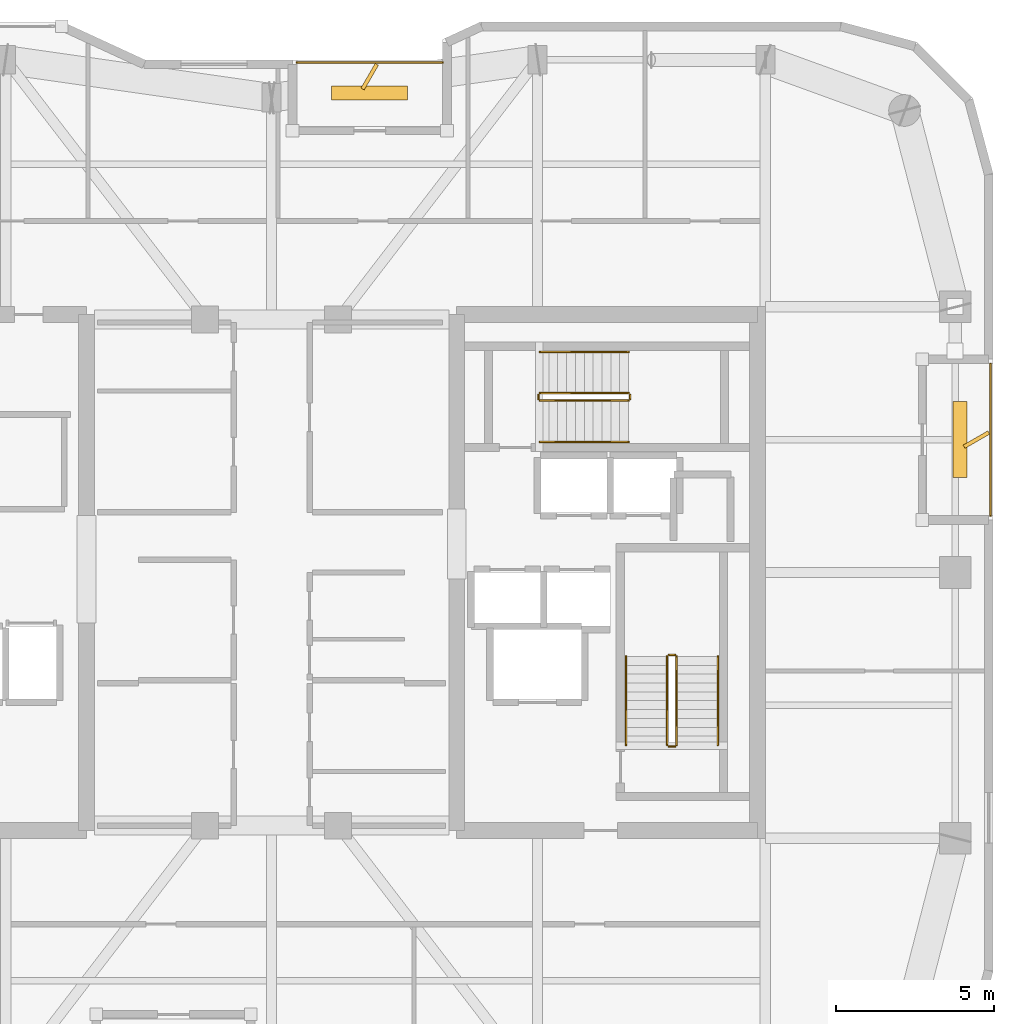
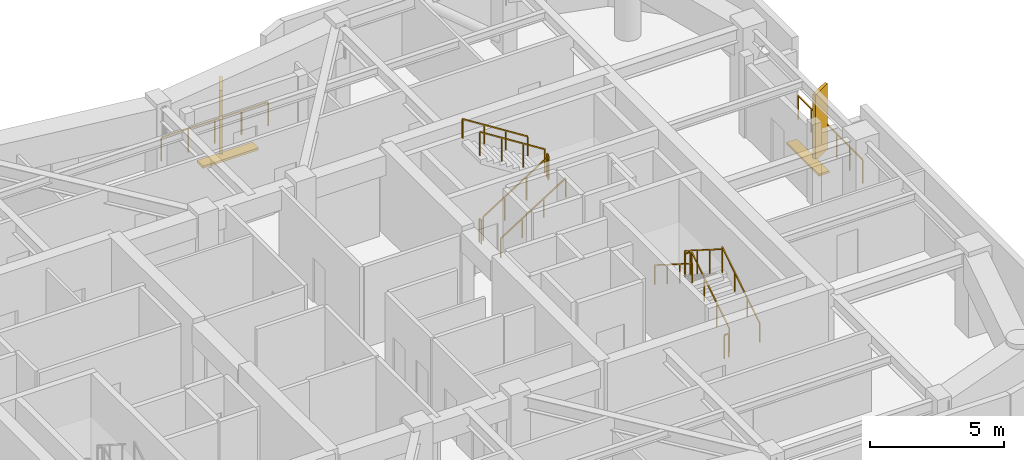
# One storey, part 15 of 15: 14 railings, 4 shading devices.
"""IFC4 building model written with IfcOpenShell, lengths in metres."""

from ifc_helpers import new_model, si_unit, direction, frame, origin, origin_2d, place, context, subcontext, project, spatial, rectangle, extrude, material, type_object, element, save


model = new_model("IFC4")

# Units and contexts
model_context = context("Model", 3, precision=1e-05, world=origin(), true_north=direction((0.0, 1.0)))
body_context = subcontext(model_context, "Body", "Model", "MODEL_VIEW")
ifc_project = project(units=[si_unit("LENGTHUNIT", "METRE"), si_unit("AREAUNIT", "SQUARE_METRE"), si_unit("VOLUMEUNIT", "CUBIC_METRE"), si_unit("PLANEANGLEUNIT", "RADIAN"), si_unit("MASSUNIT", "GRAM", prefix="KILO")], contexts=[model_context])

# Site, building, storey
site_placement = place(None, origin())
site = spatial("IfcSite", under=ifc_project, at=site_placement, CompositionType="ELEMENT")
building_placement = place(site_placement, origin())
building = spatial("IfcBuilding", under=site, at=building_placement, Name="Kiyonajd Concourse Tower", CompositionType="ELEMENT")
storey_placement = place(building_placement, frame((0.0, 0.0, 266.699951171875)))
storey = spatial("IfcBuildingStorey", under=building, at=storey_placement, Name="L67", CompositionType="ELEMENT", Elevation=266.699951171875)

# Railings
ifc_material_1 = material(Name="Thermally Broken Anodised Aluminium", Category="aluminium")
railing_type_1 = type_object("IfcRailingType", Name="RL-GRD-LOG", PredefinedType="GUARDRAIL", material=ifc_material_1)
railing_1_placement = place(storey_placement, frame((53.39990234375, 52.1201171875, 0.0)))
element("IfcRailing", 1, at=railing_1_placement, inside=storey, type_object=railing_type_1, Name="L67 Engawa Loggia Perimeter Guard LOG-N", PredefinedType="GUARDRAIL", context=body_context, shape_type="SweptSolid", body=[
    extrude(rectangle(XDim=0.048095703125, YDim=0.048095703125, at=origin_2d()), frame((0.0, 0.0, 1.076171875), z_axis=(-1.0, 0.0, 0.0), x_axis=(0.0, -1.0, 0.0)), (0.0, 0.0, 1.0), 4.599853515625),
    extrude(rectangle(XDim=0.0419921875, YDim=0.0419921875, at=origin_2d()), origin(), (0.0, 0.0, 1.0), 1.052001953125),
    extrude(rectangle(XDim=0.0419921875, YDim=0.0419921875, at=origin_2d()), frame((-1.14990234375, 0.0, 0.0)), (0.0, 0.0, 1.0), 1.052001953125),
    extrude(rectangle(XDim=0.0419921875, YDim=0.0419921875, at=origin_2d()), frame((-2.2998046875, 0.0, 0.0)), (0.0, 0.0, 1.0), 1.052001953125),
    extrude(rectangle(XDim=0.0419921875, YDim=0.0419921875, at=origin_2d()), frame((-3.449951171875, 0.0, 0.0)), (0.0, 0.0, 1.0), 1.052001953125),
    extrude(rectangle(XDim=0.0419921875, YDim=0.0419921875, at=origin_2d()), frame((-4.599853515625, 0.0, 0.0)), (0.0, 0.0, 1.0), 1.052001953125),
])
railing_2_placement = place(storey_placement, frame((70.719970703125, 37.800048828125, 0.0)))
element("IfcRailing", 2, at=railing_2_placement, inside=storey, type_object=railing_type_1, Name="L67 Engawa Loggia Perimeter Guard LOG-E", PredefinedType="GUARDRAIL", context=body_context, shape_type="SweptSolid", body=[
    extrude(rectangle(XDim=0.048095703125, YDim=0.048095703125, at=origin_2d()), frame((0.0, 0.0, 1.076171875), z_axis=(0.0, 1.0, 0.0), x_axis=(-1.0, 0.0, 0.0)), (0.0, 0.0, 1.0), 4.800048828125),
    extrude(rectangle(XDim=0.0419921875, YDim=0.0419921875, at=origin_2d()), origin(), (0.0, 0.0, 1.0), 1.052001953125),
    extrude(rectangle(XDim=0.0419921875, YDim=0.0419921875, at=origin_2d()), frame((0.0, 0.9599609375, 0.0)), (0.0, 0.0, 1.0), 1.052001953125),
    extrude(rectangle(XDim=0.0419921875, YDim=0.0419921875, at=origin_2d()), frame((0.0, 1.919921875, 0.0)), (0.0, 0.0, 1.0), 1.052001953125),
    extrude(rectangle(XDim=0.0419921875, YDim=0.0419921875, at=origin_2d()), frame((0.0, 2.880126953125, 0.0)), (0.0, 0.0, 1.0), 1.052001953125),
    extrude(rectangle(XDim=0.0419921875, YDim=0.0419921875, at=origin_2d()), frame((0.0, 3.840087890625, 0.0)), (0.0, 0.0, 1.0), 1.052001953125),
    extrude(rectangle(XDim=0.0419921875, YDim=0.0419921875, at=origin_2d()), frame((0.0, 4.800048828125, 0.0)), (0.0, 0.0, 1.0), 1.052001953125),
])
ifc_material_2 = material(Name="Steel ASTM A500 Grade C", Category="steel")
railing_type_2 = type_object("IfcRailingType", Name="RL-GRD-STR", PredefinedType="GUARDRAIL", material=ifc_material_2)
railing_3_placement = place(storey_placement, frame((60.800048828125, 30.550048828125, 0.17724609375)))
element("IfcRailing", 3, at=railing_3_placement, inside=storey, type_object=railing_type_2, Name="L67 ST2 stair guard 1", PredefinedType="GUARDRAIL", context=body_context, shape_type="SweptSolid", body=[
    extrude(rectangle(XDim=0.048095703125, YDim=0.048095703125, at=origin_2d()), frame((0.0, 0.0, 1.076171875), z_axis=(0.0, 0.844908973607, 0.534910110503), x_axis=(-1.0, 0.0, 0.0)), (0.0, 0.0, 1.0), 3.31396484375),
    extrude(rectangle(XDim=0.0419921875, YDim=0.0419921875, at=origin_2d()), origin(), (0.0, 0.0, 1.0), 1.052001953125),
    extrude(rectangle(XDim=0.0419921875, YDim=0.0419921875, at=origin_2d()), frame((0.0, 0.933349609375, 0.5908203125)), (0.0, 0.0, 1.0), 1.052001953125),
    extrude(rectangle(XDim=0.0419921875, YDim=0.0419921875, at=origin_2d()), frame((0.0, 1.86669921875, 1.181884765625)), (0.0, 0.0, 1.0), 1.052001953125),
    extrude(rectangle(XDim=0.0419921875, YDim=0.0419921875, at=origin_2d()), frame((0.0, 2.800048828125, 1.772705078125)), (0.0, 0.0, 1.0), 1.052001953125),
])
railing_4_placement = place(storey_placement, frame((60.75, 33.39990234375, 1.949951171875)))
element("IfcRailing", 4, at=railing_4_placement, inside=storey, type_object=railing_type_2, Name="L67 ST2 stair guard 2", PredefinedType="GUARDRAIL", context=body_context, shape_type="SweptSolid", body=[
    extrude(rectangle(XDim=0.048095703125, YDim=0.048095703125, at=origin_2d()), frame((0.0, 0.0, 1.076171875), z_axis=(-1.0, 0.0, 0.0), x_axis=(0.0, -1.0, 0.0)), (0.0, 0.0, 1.0), 0.199951171875),
    extrude(rectangle(XDim=0.0419921875, YDim=0.0419921875, at=origin_2d()), origin(), (0.0, 0.0, 1.0), 1.052001953125),
    extrude(rectangle(XDim=0.0419921875, YDim=0.0419921875, at=origin_2d()), frame((-0.199951171875, 0.0, 0.0)), (0.0, 0.0, 1.0), 1.052001953125),
])
railing_5_placement = place(storey_placement, frame((60.5, 33.35009765625, 2.12744140625)))
element("IfcRailing", 5, at=railing_5_placement, inside=storey, type_object=railing_type_2, Name="L67 ST2 stair guard 3", PredefinedType="GUARDRAIL", context=body_context, shape_type="SweptSolid", body=[
    extrude(rectangle(XDim=0.048095703125, YDim=0.048095703125, at=origin_2d()), frame((0.0, 0.0, 1.076171875), z_axis=(0.0, -0.844908973607, 0.534910110503), x_axis=(1.0, 0.0, 0.0)), (0.0, 0.0, 1.0), 3.31396484375),
    extrude(rectangle(XDim=0.0419921875, YDim=0.0419921875, at=origin_2d()), origin(), (0.0, 0.0, 1.0), 1.052001953125),
    extrude(rectangle(XDim=0.0419921875, YDim=0.0419921875, at=origin_2d()), frame((0.0, -0.933349609375, 0.5908203125)), (0.0, 0.0, 1.0), 1.052001953125),
    extrude(rectangle(XDim=0.0419921875, YDim=0.0419921875, at=origin_2d()), frame((0.0, -1.86669921875, 1.181884765625)), (0.0, 0.0, 1.0), 1.052001953125),
    extrude(rectangle(XDim=0.0419921875, YDim=0.0419921875, at=origin_2d()), frame((0.0, -2.800048828125, 1.772705078125)), (0.0, 0.0, 1.0), 1.052001953125),
])
railing_6_placement = place(storey_placement, frame((60.75, 30.5, 0.0)))
element("IfcRailing", 6, at=railing_6_placement, inside=storey, type_object=railing_type_2, Name="L67 ST2 stair guard 4", PredefinedType="GUARDRAIL", context=body_context, shape_type="SweptSolid", body=[
    extrude(rectangle(XDim=0.048095703125, YDim=0.048095703125, at=origin_2d()), frame((0.0, 0.0, 1.076171875), z_axis=(-1.0, 0.0, 0.0), x_axis=(0.0, -1.0, 0.0)), (0.0, 0.0, 1.0), 0.199951171875),
    extrude(rectangle(XDim=0.0419921875, YDim=0.0419921875, at=origin_2d()), origin(), (0.0, 0.0, 1.0), 1.052001953125),
    extrude(rectangle(XDim=0.0419921875, YDim=0.0419921875, at=origin_2d()), frame((-0.199951171875, 0.0, 0.0)), (0.0, 0.0, 1.0), 1.052001953125),
])
railing_7_placement = place(storey_placement, frame((56.47998046875, 41.429931640625, 0.17724609375)))
element("IfcRailing", 7, at=railing_7_placement, inside=storey, type_object=railing_type_2, Name="L67 ST3 stair guard 1", PredefinedType="GUARDRAIL", context=body_context, shape_type="SweptSolid", body=[
    extrude(rectangle(XDim=0.048095703125, YDim=0.048095703125, at=origin_2d()), frame((0.0, 0.0, 1.076171875), z_axis=(0.844908973607, 0.0, 0.534910110503), x_axis=(0.0, 1.0, 0.0)), (0.0, 0.0, 1.0), 3.31396484375),
    extrude(rectangle(XDim=0.0419921875, YDim=0.0419921875, at=origin_2d()), origin(), (0.0, 0.0, 1.0), 1.052001953125),
    extrude(rectangle(XDim=0.0419921875, YDim=0.0419921875, at=origin_2d()), frame((0.933349609375, 0.0, 0.5908203125)), (0.0, 0.0, 1.0), 1.052001953125),
    extrude(rectangle(XDim=0.0419921875, YDim=0.0419921875, at=origin_2d()), frame((1.86669921875, 0.0, 1.181884765625)), (0.0, 0.0, 1.0), 1.052001953125),
    extrude(rectangle(XDim=0.0419921875, YDim=0.0419921875, at=origin_2d()), frame((2.800048828125, 0.0, 1.772705078125)), (0.0, 0.0, 1.0), 1.052001953125),
])
railing_8_placement = place(storey_placement, frame((59.330078125, 41.47998046875, 1.949951171875)))
element("IfcRailing", 8, at=railing_8_placement, inside=storey, type_object=railing_type_2, Name="L67 ST3 stair guard 2", PredefinedType="GUARDRAIL", context=body_context, shape_type="SweptSolid", body=[
    extrude(rectangle(XDim=0.048095703125, YDim=0.048095703125, at=origin_2d()), frame((0.0, 0.0, 1.076171875), z_axis=(0.0, 1.0, 0.0), x_axis=(-1.0, 0.0, 0.0)), (0.0, 0.0, 1.0), 0.14013671875),
    extrude(rectangle(XDim=0.0419921875, YDim=0.0419921875, at=origin_2d()), origin(), (0.0, 0.0, 1.0), 1.052001953125),
    extrude(rectangle(XDim=0.0419921875, YDim=0.0419921875, at=origin_2d()), frame((0.0, 0.14013671875, 0.0)), (0.0, 0.0, 1.0), 1.052001953125),
])
railing_9_placement = place(storey_placement, frame((59.280029296875, 41.669921875, 2.12744140625)))
element("IfcRailing", 9, at=railing_9_placement, inside=storey, type_object=railing_type_2, Name="L67 ST3 stair guard 3", PredefinedType="GUARDRAIL", context=body_context, shape_type="SweptSolid", body=[
    extrude(rectangle(XDim=0.048095703125, YDim=0.048095703125, at=origin_2d()), frame((0.0, 0.0, 1.076171875), z_axis=(-0.844908973607, 0.0, 0.534910110503), x_axis=(0.0, -1.0, 0.0)), (0.0, 0.0, 1.0), 3.31396484375),
    extrude(rectangle(XDim=0.0419921875, YDim=0.0419921875, at=origin_2d()), origin(), (0.0, 0.0, 1.0), 1.052001953125),
    extrude(rectangle(XDim=0.0419921875, YDim=0.0419921875, at=origin_2d()), frame((-0.933349609375, 0.0, 0.5908203125)), (0.0, 0.0, 1.0), 1.052001953125),
    extrude(rectangle(XDim=0.0419921875, YDim=0.0419921875, at=origin_2d()), frame((-1.86669921875, 0.0, 1.181884765625)), (0.0, 0.0, 1.0), 1.052001953125),
    extrude(rectangle(XDim=0.0419921875, YDim=0.0419921875, at=origin_2d()), frame((-2.800048828125, 0.0, 1.772705078125)), (0.0, 0.0, 1.0), 1.052001953125),
])
railing_10_placement = place(storey_placement, frame((56.429931640625, 41.47998046875, 0.0)))
element("IfcRailing", 10, at=railing_10_placement, inside=storey, type_object=railing_type_2, Name="L67 ST3 stair guard 4", PredefinedType="GUARDRAIL", context=body_context, shape_type="SweptSolid", body=[
    extrude(rectangle(XDim=0.048095703125, YDim=0.048095703125, at=origin_2d()), frame((0.0, 0.0, 1.076171875), z_axis=(0.0, 1.0, 0.0), x_axis=(-1.0, 0.0, 0.0)), (0.0, 0.0, 1.0), 0.14013671875),
    extrude(rectangle(XDim=0.0419921875, YDim=0.0419921875, at=origin_2d()), origin(), (0.0, 0.0, 1.0), 1.052001953125),
    extrude(rectangle(XDim=0.0419921875, YDim=0.0419921875, at=origin_2d()), frame((0.0, 0.14013671875, 0.0)), (0.0, 0.0, 1.0), 1.052001953125),
])
ifc_material_3 = material(Name="Brushed Stainless Steel Cab Assembly", Category="steel")
railing_type_3 = type_object("IfcRailingType", Name="RL-HND-900", PredefinedType="HANDRAIL", material=ifc_material_3)
railing_11_placement = place(storey_placement, frame((62.10009765625, 30.550048828125, 0.17724609375)))
element("IfcRailing", 11, at=railing_11_placement, inside=storey, type_object=railing_type_3, Name="L67 ST2 stair handrail 1", PredefinedType="HANDRAIL", context=body_context, shape_type="SweptSolid", body=[
    extrude(rectangle(XDim=0.048095703125, YDim=0.048095703125, at=origin_2d()), frame((0.0, 0.0, 0.8759765625), z_axis=(0.0, 0.844908973607, 0.534910110503), x_axis=(-1.0, 0.0, 0.0)), (0.0, 0.0, 1.0), 3.31396484375),
    extrude(rectangle(XDim=0.0419921875, YDim=0.0419921875, at=origin_2d()), origin(), (0.0, 0.0, 1.0), 0.851806640625),
    extrude(rectangle(XDim=0.0419921875, YDim=0.0419921875, at=origin_2d()), frame((0.0, 0.933349609375, 0.5908203125)), (0.0, 0.0, 1.0), 0.851806640625),
    extrude(rectangle(XDim=0.0419921875, YDim=0.0419921875, at=origin_2d()), frame((0.0, 1.86669921875, 1.181884765625)), (0.0, 0.0, 1.0), 0.851806640625),
    extrude(rectangle(XDim=0.0419921875, YDim=0.0419921875, at=origin_2d()), frame((0.0, 2.800048828125, 1.772705078125)), (0.0, 0.0, 1.0), 0.851806640625),
])
railing_12_placement = place(storey_placement, frame((59.199951171875, 33.35009765625, 2.12744140625)))
element("IfcRailing", 12, at=railing_12_placement, inside=storey, type_object=railing_type_3, Name="L67 ST2 stair handrail 2", PredefinedType="HANDRAIL", context=body_context, shape_type="SweptSolid", body=[
    extrude(rectangle(XDim=0.048095703125, YDim=0.048095703125, at=origin_2d()), frame((0.0, 0.0, 0.8759765625), z_axis=(0.0, -0.844908973607, 0.534910110503), x_axis=(1.0, 0.0, 0.0)), (0.0, 0.0, 1.0), 3.31396484375),
    extrude(rectangle(XDim=0.0419921875, YDim=0.0419921875, at=origin_2d()), origin(), (0.0, 0.0, 1.0), 0.851806640625),
    extrude(rectangle(XDim=0.0419921875, YDim=0.0419921875, at=origin_2d()), frame((0.0, -0.933349609375, 0.5908203125)), (0.0, 0.0, 1.0), 0.851806640625),
    extrude(rectangle(XDim=0.0419921875, YDim=0.0419921875, at=origin_2d()), frame((0.0, -1.86669921875, 1.181884765625)), (0.0, 0.0, 1.0), 0.851806640625),
    extrude(rectangle(XDim=0.0419921875, YDim=0.0419921875, at=origin_2d()), frame((0.0, -2.800048828125, 1.772705078125)), (0.0, 0.0, 1.0), 0.851806640625),
])
railing_13_placement = place(storey_placement, frame((56.47998046875, 40.1298828125, 0.17724609375)))
element("IfcRailing", 13, at=railing_13_placement, inside=storey, type_object=railing_type_3, Name="L67 ST3 stair handrail 1", PredefinedType="HANDRAIL", context=body_context, shape_type="SweptSolid", body=[
    extrude(rectangle(XDim=0.048095703125, YDim=0.048095703125, at=origin_2d()), frame((0.0, 0.0, 0.8759765625), z_axis=(0.844908973607, 0.0, 0.534910110503), x_axis=(0.0, 1.0, 0.0)), (0.0, 0.0, 1.0), 3.31396484375),
    extrude(rectangle(XDim=0.0419921875, YDim=0.0419921875, at=origin_2d()), origin(), (0.0, 0.0, 1.0), 0.851806640625),
    extrude(rectangle(XDim=0.0419921875, YDim=0.0419921875, at=origin_2d()), frame((0.933349609375, 0.0, 0.5908203125)), (0.0, 0.0, 1.0), 0.851806640625),
    extrude(rectangle(XDim=0.0419921875, YDim=0.0419921875, at=origin_2d()), frame((1.86669921875, 0.0, 1.181884765625)), (0.0, 0.0, 1.0), 0.851806640625),
    extrude(rectangle(XDim=0.0419921875, YDim=0.0419921875, at=origin_2d()), frame((2.800048828125, 0.0, 1.772705078125)), (0.0, 0.0, 1.0), 0.851806640625),
])
railing_14_placement = place(storey_placement, frame((59.280029296875, 42.969970703125, 2.12744140625)))
element("IfcRailing", 14, at=railing_14_placement, inside=storey, type_object=railing_type_3, Name="L67 ST3 stair handrail 2", PredefinedType="HANDRAIL", context=body_context, shape_type="SweptSolid", body=[
    extrude(rectangle(XDim=0.048095703125, YDim=0.048095703125, at=origin_2d()), frame((0.0, 0.0, 0.8759765625), z_axis=(-0.844908973607, 0.0, 0.534910110503), x_axis=(0.0, -1.0, 0.0)), (0.0, 0.0, 1.0), 3.31396484375),
    extrude(rectangle(XDim=0.0419921875, YDim=0.0419921875, at=origin_2d()), origin(), (0.0, 0.0, 1.0), 0.851806640625),
    extrude(rectangle(XDim=0.0419921875, YDim=0.0419921875, at=origin_2d()), frame((-0.933349609375, 0.0, 0.5908203125)), (0.0, 0.0, 1.0), 0.851806640625),
    extrude(rectangle(XDim=0.0419921875, YDim=0.0419921875, at=origin_2d()), frame((-1.86669921875, 0.0, 1.181884765625)), (0.0, 0.0, 1.0), 0.851806640625),
    extrude(rectangle(XDim=0.0419921875, YDim=0.0419921875, at=origin_2d()), frame((-2.800048828125, 0.0, 1.772705078125)), (0.0, 0.0, 1.0), 0.851806640625),
])

# Shading devices
ifc_material_4 = material(Name="Precast concrete C50/60", Category="concrete")
shading_device_type_1 = type_object("IfcShadingDeviceType", Name="SH-FIN-900", PredefinedType="USERDEFINED", material=ifc_material_4)
for number, where, z_axis, x_axis, name in (
    (15, (51.10009765625, 51.669921875, 0.0), (0.0, 0.0, 1.0), (0.5, 0.866025403784, 0.0), "L67 Angled Koshi Solar Fin LOG-N"),
    (16, (70.27001953125, 40.199951171875, 0.0), (0.0, 0.0, 1.0), (0.866025403784, 0.5, 0.0), "L67 Angled Koshi Solar Fin LOG-E"),
):
    element("IfcShadingDevice", number, at=place(storey_placement, frame(where, z_axis=z_axis, x_axis=x_axis)), inside=storey, type_object=shading_device_type_1, Name=name, ObjectType="FIN", PredefinedType="USERDEFINED", context=body_context, shape_type="SweptSolid", body=[
        extrude(rectangle(XDim=0.89990234375, YDim=0.1201171875, at=origin_2d()), origin(), (0.0, 0.0, 1.0), 3.0),
    ])
shading_device_type_2 = type_object("IfcShadingDeviceType", Name="SH-LVR-600", PredefinedType="JALOUSIE", material=ifc_material_1)
for number, where, z_axis, x_axis, name in (
    (17, (51.10009765625, 51.14990234375, 0.0), (0.0, 0.0, 1.0), (1.0, 0.0, 0.0), "L67 Loggia Threshold Louver LOG-N"),
    (18, (69.75, 40.199951171875, 0.0), (0.0, 0.0, 1.0), (0.0, 1.0, 0.0), "L67 Loggia Threshold Louver LOG-E"),
):
    element("IfcShadingDevice", number, at=place(storey_placement, frame(where, z_axis=z_axis, x_axis=x_axis)), inside=storey, type_object=shading_device_type_2, Name=name, PredefinedType="JALOUSIE", context=body_context, shape_type="SweptSolid", body=[
        extrude(rectangle(XDim=2.39990234375, YDim=0.449951171875, at=origin_2d()), origin(), (0.0, 0.0, 1.0), 0.10009765625),
    ])

save(model, "model.ifc")
